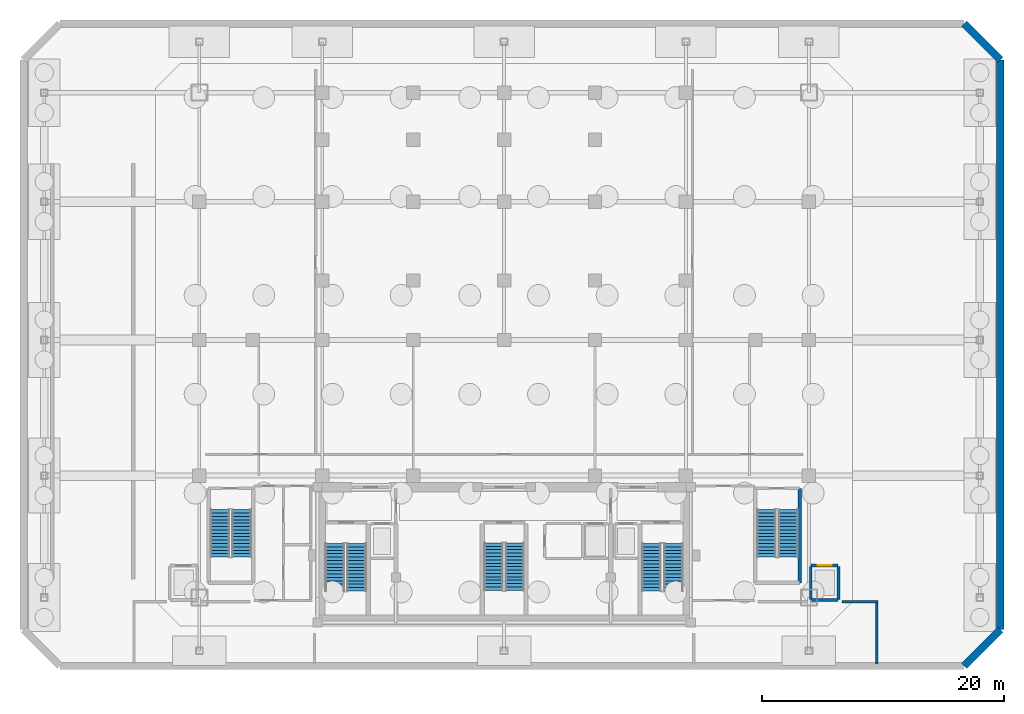
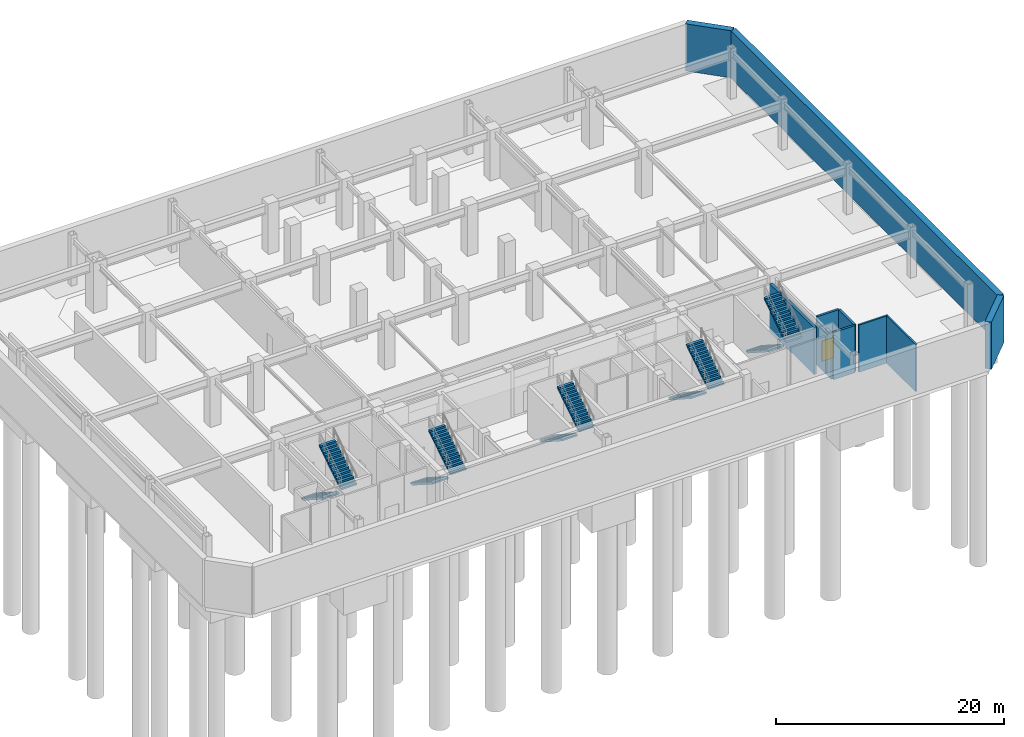
# One storey, part 7 of 10: 10 stair flights, 10 walls, 1 door, 1 opening, 5 elements without a shape of their own.
"""IFC4 building model written with IfcOpenShell, lengths in metres."""

from ifc_helpers import new_model, si_unit, direction, frame, frame_2d, origin, place, context, subcontext, project, spatial, polyline, rectangle, outline, extrude, material, layer, layer_set, type_object, element, fill, aggregate, save


model = new_model("IFC4")

# Units and contexts
model_context = context("Model", 3, precision=1e-05, world=origin(), true_north=direction((0.0, 1.0)))
body_context = subcontext(model_context, "Body", "Model", "MODEL_VIEW")
ifc_project = project(units=[si_unit("LENGTHUNIT", "METRE"), si_unit("AREAUNIT", "SQUARE_METRE"), si_unit("VOLUMEUNIT", "CUBIC_METRE"), si_unit("PLANEANGLEUNIT", "RADIAN"), si_unit("MASSUNIT", "GRAM", prefix="KILO")], contexts=[model_context])

# Site, building, storey
site_placement = place(None, origin())
site = spatial("IfcSite", under=ifc_project, at=site_placement, CompositionType="ELEMENT")
building_placement = place(site_placement, origin())
building = spatial("IfcBuilding", under=site, at=building_placement, Name="Ventersveld Concourse Tower", CompositionType="ELEMENT")
storey_placement = place(building_placement, frame((0.0, 0.0, -10.800048828125)))
storey = spatial("IfcBuildingStorey", under=building, at=storey_placement, Name="B02", CompositionType="ELEMENT", Elevation=-10.800048828125)

# Walls
ifc_material_1 = material(Name="Fire-rated autoclaved aerated masonry blockwork", Category="masonry")
ifc_layer_1 = layer(ifc_material_1, 0.179931640625)
ifc_layer_set_1 = layer_set([ifc_layer_1], Name="Fire-rated autoclaved aerated masonry blockwork")
wall_type_1 = type_object("IfcWallType", Name="WL-CORR-180", PredefinedType="PARTITIONING", material=ifc_layer_set_1)
wall_1_placement = place(storey_placement, frame((59.5, -3.139892578125, 0.0), z_axis=(0.0, 0.0, 1.0), x_axis=(0.0, 1.0, 0.0)))
element("IfcWall", 1, at=wall_1_placement, inside=storey, type_object=wall_type_1, Name="B02 Room Enclosure Wall SP-B02-GREY", PredefinedType="PARTITIONING", context=body_context, shape_type="SweptSolid", body=[
    extrude(rectangle(XDim=5.23486328125, YDim=0.179931640625, at=frame_2d((2.617431640625, 0.0))), origin(), (0.0, 0.0, 1.0), 5.050048828125),
])
wall_2_placement = place(storey_placement, frame((59.594970703125, 2.0, 0.0), z_axis=(0.0, 0.0, 1.0), x_axis=(-1.0, 0.0, 0.0)))
element("IfcWall", 2, at=wall_2_placement, inside=storey, type_object=wall_type_1, Name="B02 Room Enclosure Wall SP-B02-GREY", PredefinedType="PARTITIONING", context=body_context, shape_type="SweptSolid", body=[
    extrude(rectangle(XDim=2.980712890625, YDim=0.179931640625, at=frame_2d((1.490234375, 0.0))), origin(), (0.0, 0.0, 1.0), 5.050048828125),
])
ifc_layer_2 = layer(ifc_material_1, 0.219970703125)
ifc_layer_set_2 = layer_set([ifc_layer_2], Name="Fire-rated autoclaved aerated masonry blockwork")
wall_type_2 = type_object("IfcWallType", Name="WL-HOIST-220", PredefinedType="SOLIDWALL", material=ifc_layer_set_2)
wall_3_placement = place(storey_placement, frame((54.10009765625, 2.139892578125, 0.0), z_axis=(0.0, 0.0, 1.0), x_axis=(1.0, 0.0, 0.0)))
element("IfcWall", 3, at=wall_3_placement, inside=storey, type_object=wall_type_2, Name="B02 Lift Hoistway Back Wall SL-02", PredefinedType="SOLIDWALL", context=body_context, shape_type="SweptSolid", body=[
    extrude(rectangle(XDim=2.199951171875, YDim=0.219970703125, at=frame_2d((1.10009765625, 0.0))), origin(), (0.0, 0.0, 1.0), 5.050048828125),
])
wall_4_placement = place(storey_placement, frame((54.06005859375, 2.199951171875, 0.0), z_axis=(0.0, 0.0, 1.0), x_axis=(0.0, 1.0, 0.0)))
element("IfcWall", 4, at=wall_4_placement, inside=storey, type_object=wall_type_2, Name="B02 Lift Hoistway Side Wall SL-02W", PredefinedType="SOLIDWALL", context=body_context, shape_type="SweptSolid", body=[
    extrude(rectangle(XDim=2.699951171875, YDim=0.219970703125, at=frame_2d((1.35009765625, 0.0))), origin(), (0.0, 0.0, 1.0), 4.432861328125),
])
wall_5_placement = place(storey_placement, frame((56.340087890625, 2.199951171875, 0.0), z_axis=(0.0, 0.0, 1.0), x_axis=(0.0, 1.0, 0.0)))
element("IfcWall", 5, at=wall_5_placement, inside=storey, type_object=wall_type_2, Name="B02 Lift Hoistway Side Wall SL-02E", PredefinedType="SOLIDWALL", context=body_context, shape_type="SweptSolid", body=[
    extrude(rectangle(XDim=2.699951171875, YDim=0.219970703125, at=frame_2d((1.35009765625, 0.0))), origin(), (0.0, 0.0, 1.0), 5.050048828125),
])

# Wall, opening, door
wall_6_placement = place(storey_placement, frame((54.080078125, 4.97998046875, 0.0), z_axis=(0.0, 0.0, 1.0), x_axis=(1.0, 0.0, 0.0)))
wall_6 = element("IfcWall", 6, at=wall_6_placement, inside=storey, type_object=wall_type_2, Name="B02 Lift Hoistway Front Wall SL-02", PredefinedType="SOLIDWALL", context=body_context, shape_type="SweptSolid", body=[
    extrude(rectangle(XDim=2.239990234375, YDim=0.219970703125, at=frame_2d((1.1201171875, 0.0))), origin(), (0.0, 0.0, 1.0), 5.050048828125),
])
opening_placement = place(wall_6_placement, frame((0.530029296875, 0.0, 0.0)))
opening = element("IfcOpeningElement", 7, at=opening_placement, cuts=wall_6, Name="Opening LD2", PredefinedType="OPENING", context=body_context, shape_type="SweptSolid", body=[
    extrude(rectangle(XDim=1.179931640625, YDim=2.199951171875, at=frame_2d((0.58984375, 1.10009765625))), frame((0.0, 0.1201171875, 0.0), z_axis=(0.0, -1.0, 0.0), x_axis=(1.0, 0.0, 0.0)), (0.0, 0.0, 1.0), 0.239990234375),
])
ifc_material_2 = material(Name="Brushed stainless steel 316", Category="steel")
door_type = type_object("IfcDoorType", Name="LD-PAX-118", OperationType="SLIDING_TO_LEFT", PredefinedType="DOOR", material=ifc_material_2)
door_placement = place(opening_placement, origin())
door = element("IfcDoor", 8, at=door_placement, inside=storey, type_object=door_type, Name="B02 Lift landing door SL-02 (LD-B02-SL-02)", OperationType="SLIDING_TO_LEFT", OverallHeight=2.199951171875, OverallWidth=1.179931640625, PredefinedType="DOOR", context=body_context, shape_type="SweptSolid", body=[
    extrude(rectangle(XDim=1.179931640625, YDim=2.199951171875, at=frame_2d((0.58984375, 1.10009765625))), frame((0.0, 0.02490234375, 0.0), z_axis=(0.0, -1.0, 0.0), x_axis=(1.0, 0.0, 0.0)), (0.0, 0.0, 1.0), 0.050048828125),
])
fill(opening, door)

# Walls
ifc_material_3 = material(Name="Concrete C50/60", Category="concrete")
ifc_layer_3 = layer(ifc_material_3, 0.60009765625)
ifc_layer_set_3 = layer_set([ifc_layer_3], Name="Concrete C50/60")
wall_type_3 = type_object("IfcWallType", Name="WL-RET-600", PredefinedType="SOLIDWALL", material=ifc_layer_set_3)
wall_7_placement = place(storey_placement, frame((66.699951171875, -3.300048828125, 0.0), z_axis=(0.0, 0.0, 1.0), x_axis=(0.707106781187, 0.707106781187, 0.0)))
element("IfcWall", 9, at=wall_7_placement, inside=storey, type_object=wall_type_3, Name="B02 Basement Retaining Wall 02", PredefinedType="SOLIDWALL", context=body_context, shape_type="SweptSolid", body=[
    extrude(rectangle(XDim=4.24267578125, YDim=0.60009765625, at=frame_2d((2.121337890625, 0.0))), origin(), (0.0, 0.0, 1.0), 5.050048828125),
])
wall_8_placement = place(storey_placement, frame((69.699951171875, -0.300048828125, 0.0), z_axis=(0.0, 0.0, 1.0), x_axis=(0.0, 1.0, 0.0)))
element("IfcWall", 10, at=wall_8_placement, inside=storey, type_object=wall_type_3, Name="B02 Basement Retaining Wall 03", PredefinedType="SOLIDWALL", context=body_context, shape_type="SweptSolid", body=[
    extrude(rectangle(XDim=47.0, YDim=0.60009765625, at=frame_2d((23.5, 0.0))), origin(), (0.0, 0.0, 1.0), 5.050048828125),
])
wall_9_placement = place(storey_placement, frame((69.699951171875, 46.699951171875, 0.0), z_axis=(0.0, 0.0, 1.0), x_axis=(-0.707106781187, 0.707106781187, 0.0)))
element("IfcWall", 11, at=wall_9_placement, inside=storey, type_object=wall_type_3, Name="B02 Basement Retaining Wall 04", PredefinedType="SOLIDWALL", context=body_context, shape_type="SweptSolid", body=[
    extrude(rectangle(XDim=4.24267578125, YDim=0.60009765625, at=frame_2d((2.121337890625, 0.0))), origin(), (0.0, 0.0, 1.0), 5.050048828125),
])
ifc_layer_4 = layer(ifc_material_3, 0.280029296875)
ifc_layer_set_4 = layer_set([ifc_layer_4], Name="Concrete C50/60")
wall_type_4 = type_object("IfcWallType", Name="WL-SHAFT-280", PredefinedType="SHEAR", material=ifc_layer_set_4)
wall_10_placement = place(storey_placement, frame((53.139892578125, 3.56005859375, 0.0), z_axis=(0.0, 0.0, 1.0), x_axis=(0.0, 1.0, 0.0)))
element("IfcWall", 12, at=wall_10_placement, inside=storey, type_object=wall_type_4, Name="B02 ST05 Structural Shaft Wall E", PredefinedType="SHEAR", context=body_context, shape_type="SweptSolid", body=[
    extrude(rectangle(XDim=7.7900390625, YDim=0.280029296875, at=frame_2d((3.89501953125, 0.0))), origin(), (0.0, 0.0, 1.0), 5.050048828125),
])

# Stair, stair flights
stair_type_1 = type_object("IfcStairType", Name="ST-DOG-155", PredefinedType="HALF_TURN_STAIR", material=ifc_material_3)
stair_1_placement = place(storey_placement, origin())
stair_1 = element("IfcStair", 13, at=stair_1_placement, inside=storey, type_object=stair_type_1, Name="B02 Protected Central Core Escape Stair ST-03", PredefinedType="HALF_TURN_STAIR")
stair_flight_type_1 = type_object("IfcStairFlightType", Name="STF-RC-155", PredefinedType="STRAIGHT", material=ifc_material_3)
stair_flight_1_placement = place(storey_placement, frame((27.875, 6.85009765625, 0.0), z_axis=(0.0, 0.0, 1.0), x_axis=(0.0, -1.0, 0.0)))
stair_flight_1 = element("IfcStairFlight", 14, at=stair_flight_1_placement, type_object=stair_flight_type_1, Name="ST-03 flight 1", NumberOfRisers=15, NumberOfTreads=14, PredefinedType="STRAIGHT", RiserHeight=0.18, TreadLength=0.28, context=body_context, shape_type="SweptSolid", body=[
    extrude(outline(polyline([(0.0, 0.0), (0.0, 0.179931640625), (0.280029296875, 0.179931640625), (0.280029296875, 0.360107421875), (0.56005859375, 0.360107421875), (0.56005859375, 0.5400390625), (0.840087890625, 0.5400390625), (0.840087890625, 0.719970703125), (1.1201171875, 0.719970703125), (1.1201171875, 0.89990234375), (1.39990234375, 0.89990234375), (1.39990234375, 1.080078125), (1.679931640625, 1.080078125), (1.679931640625, 1.260009765625), (1.9599609375, 1.260009765625), (1.9599609375, 1.43994140625), (2.239990234375, 1.43994140625), (2.239990234375, 1.6201171875), (2.52001953125, 1.6201171875), (2.52001953125, 1.800048828125), (2.800048828125, 1.800048828125), (2.800048828125, 1.97998046875), (3.080078125, 1.97998046875), (3.080078125, 2.159912109375), (3.360107421875, 2.159912109375), (3.360107421875, 2.340087890625), (3.639892578125, 2.340087890625), (3.639892578125, 2.52001953125), (3.919921875, 2.52001953125), (3.919921875, 2.699951171875), (3.919921875, 2.341796875), (0.277099609375, 0.0), (0.0, 0.0)])), frame((0.0, 0.77490234375, 0.0), z_axis=(0.0, -1.0, 0.0), x_axis=(1.0, 0.0, 0.0)), (0.0, 0.0, 1.0), 1.550048828125),
])
stair_flight_2_placement = place(storey_placement, frame((29.625, 2.929931640625, 2.699951171875), z_axis=(0.0, 0.0, 1.0), x_axis=(0.0, 1.0, 0.0)))
stair_flight_2 = element("IfcStairFlight", 15, at=stair_flight_2_placement, type_object=stair_flight_type_1, Name="ST-03 flight 2", NumberOfRisers=15, NumberOfTreads=14, PredefinedType="STRAIGHT", RiserHeight=0.18, TreadLength=0.28, context=body_context, shape_type="SweptSolid", body=[
    extrude(outline(polyline([(0.0, 0.0), (0.0, 0.179931640625), (0.280029296875, 0.179931640625), (0.280029296875, 0.360107421875), (0.56005859375, 0.360107421875), (0.56005859375, 0.5400390625), (0.840087890625, 0.5400390625), (0.840087890625, 0.719970703125), (1.1201171875, 0.719970703125), (1.1201171875, 0.89990234375), (1.39990234375, 0.89990234375), (1.39990234375, 1.080078125), (1.679931640625, 1.080078125), (1.679931640625, 1.260009765625), (1.9599609375, 1.260009765625), (1.9599609375, 1.43994140625), (2.239990234375, 1.43994140625), (2.239990234375, 1.6201171875), (2.52001953125, 1.6201171875), (2.52001953125, 1.800048828125), (2.800048828125, 1.800048828125), (2.800048828125, 1.97998046875), (3.080078125, 1.97998046875), (3.080078125, 2.159912109375), (3.360107421875, 2.159912109375), (3.360107421875, 2.340087890625), (3.639892578125, 2.340087890625), (3.639892578125, 2.52001953125), (3.919921875, 2.52001953125), (3.919921875, 2.699951171875), (3.919921875, 2.341796875), (0.277099609375, 0.0), (0.0, 0.0)])), frame((0.0, 0.77490234375, 0.0), z_axis=(0.0, -1.0, 0.0), x_axis=(1.0, 0.0, 0.0)), (0.0, 0.0, 1.0), 1.550048828125),
])
aggregate(stair_1, [stair_flight_1, stair_flight_2])

stair_type_2 = type_object("IfcStairType", Name="ST-DOG-160", PredefinedType="HALF_TURN_STAIR", material=ifc_material_3)
stair_2_placement = place(storey_placement, origin())
stair_2 = element("IfcStair", 16, at=stair_2_placement, inside=storey, type_object=stair_type_2, Name="B02 Protected Tower Escape Stair ST-01", PredefinedType="HALF_TURN_STAIR")
stair_flight_type_2 = type_object("IfcStairFlightType", Name="STF-RC-160", PredefinedType="STRAIGHT", material=ifc_material_3)
stair_flight_3_placement = place(storey_placement, frame((14.780029296875, 6.800048828125, 0.0), z_axis=(0.0, 0.0, 1.0), x_axis=(0.0, -1.0, 0.0)))
stair_flight_3 = element("IfcStairFlight", 17, at=stair_flight_3_placement, type_object=stair_flight_type_2, Name="ST-01 flight 1", NumberOfRisers=15, NumberOfTreads=14, PredefinedType="STRAIGHT", RiserHeight=0.18, TreadLength=0.28, context=body_context, shape_type="SweptSolid", body=[
    extrude(outline(polyline([(0.0, 0.0), (0.0, 0.179931640625), (0.280029296875, 0.179931640625), (0.280029296875, 0.360107421875), (0.56005859375, 0.360107421875), (0.56005859375, 0.5400390625), (0.840087890625, 0.5400390625), (0.840087890625, 0.719970703125), (1.1201171875, 0.719970703125), (1.1201171875, 0.89990234375), (1.39990234375, 0.89990234375), (1.39990234375, 1.080078125), (1.679931640625, 1.080078125), (1.679931640625, 1.260009765625), (1.9599609375, 1.260009765625), (1.9599609375, 1.43994140625), (2.239990234375, 1.43994140625), (2.239990234375, 1.6201171875), (2.52001953125, 1.6201171875), (2.52001953125, 1.800048828125), (2.800048828125, 1.800048828125), (2.800048828125, 1.97998046875), (3.080078125, 1.97998046875), (3.080078125, 2.159912109375), (3.360107421875, 2.159912109375), (3.360107421875, 2.340087890625), (3.639892578125, 2.340087890625), (3.639892578125, 2.52001953125), (3.919921875, 2.52001953125), (3.919921875, 2.699951171875), (3.919921875, 2.341796875), (0.277099609375, 0.0), (0.0, 0.0)])), frame((0.0, 0.800048828125, 0.0), z_axis=(0.0, -1.0, 0.0), x_axis=(1.0, 0.0, 0.0)), (0.0, 0.0, 1.0), 1.60009765625),
])
stair_flight_4_placement = place(storey_placement, frame((16.580078125, 2.8798828125, 2.699951171875), z_axis=(0.0, 0.0, 1.0), x_axis=(0.0, 1.0, 0.0)))
stair_flight_4 = element("IfcStairFlight", 18, at=stair_flight_4_placement, type_object=stair_flight_type_2, Name="ST-01 flight 2", NumberOfRisers=15, NumberOfTreads=14, PredefinedType="STRAIGHT", RiserHeight=0.18, TreadLength=0.28, context=body_context, shape_type="SweptSolid", body=[
    extrude(outline(polyline([(0.0, 0.0), (0.0, 0.179931640625), (0.280029296875, 0.179931640625), (0.280029296875, 0.360107421875), (0.56005859375, 0.360107421875), (0.56005859375, 0.5400390625), (0.840087890625, 0.5400390625), (0.840087890625, 0.719970703125), (1.1201171875, 0.719970703125), (1.1201171875, 0.89990234375), (1.39990234375, 0.89990234375), (1.39990234375, 1.080078125), (1.679931640625, 1.080078125), (1.679931640625, 1.260009765625), (1.9599609375, 1.260009765625), (1.9599609375, 1.43994140625), (2.239990234375, 1.43994140625), (2.239990234375, 1.6201171875), (2.52001953125, 1.6201171875), (2.52001953125, 1.800048828125), (2.800048828125, 1.800048828125), (2.800048828125, 1.97998046875), (3.080078125, 1.97998046875), (3.080078125, 2.159912109375), (3.360107421875, 2.159912109375), (3.360107421875, 2.340087890625), (3.639892578125, 2.340087890625), (3.639892578125, 2.52001953125), (3.919921875, 2.52001953125), (3.919921875, 2.699951171875), (3.919921875, 2.341796875), (0.277099609375, 0.0), (0.0, 0.0)])), frame((0.0, 0.800048828125, 0.0), z_axis=(0.0, -1.0, 0.0), x_axis=(1.0, 0.0, 0.0)), (0.0, 0.0, 1.0), 1.60009765625),
])
aggregate(stair_2, [stair_flight_3, stair_flight_4])

stair_3_placement = place(storey_placement, origin())
stair_3 = element("IfcStair", 19, at=stair_3_placement, inside=storey, type_object=stair_type_2, Name="B02 Protected Tower Escape Stair ST-02", PredefinedType="HALF_TURN_STAIR")
stair_flight_5_placement = place(storey_placement, frame((40.919921875, 6.800048828125, 0.0), z_axis=(0.0, 0.0, 1.0), x_axis=(0.0, -1.0, 0.0)))
stair_flight_5 = element("IfcStairFlight", 20, at=stair_flight_5_placement, type_object=stair_flight_type_2, Name="ST-02 flight 1", NumberOfRisers=15, NumberOfTreads=14, PredefinedType="STRAIGHT", RiserHeight=0.18, TreadLength=0.28, context=body_context, shape_type="SweptSolid", body=[
    extrude(outline(polyline([(0.0, 0.0), (0.0, 0.179931640625), (0.280029296875, 0.179931640625), (0.280029296875, 0.360107421875), (0.56005859375, 0.360107421875), (0.56005859375, 0.5400390625), (0.840087890625, 0.5400390625), (0.840087890625, 0.719970703125), (1.1201171875, 0.719970703125), (1.1201171875, 0.89990234375), (1.39990234375, 0.89990234375), (1.39990234375, 1.080078125), (1.679931640625, 1.080078125), (1.679931640625, 1.260009765625), (1.9599609375, 1.260009765625), (1.9599609375, 1.43994140625), (2.239990234375, 1.43994140625), (2.239990234375, 1.6201171875), (2.52001953125, 1.6201171875), (2.52001953125, 1.800048828125), (2.800048828125, 1.800048828125), (2.800048828125, 1.97998046875), (3.080078125, 1.97998046875), (3.080078125, 2.159912109375), (3.360107421875, 2.159912109375), (3.360107421875, 2.340087890625), (3.639892578125, 2.340087890625), (3.639892578125, 2.52001953125), (3.919921875, 2.52001953125), (3.919921875, 2.699951171875), (3.919921875, 2.341796875), (0.277099609375, 0.0), (0.0, 0.0)])), frame((0.0, 0.800048828125, 0.0), z_axis=(0.0, -1.0, 0.0), x_axis=(1.0, 0.0, 0.0)), (0.0, 0.0, 1.0), 1.60009765625),
])
stair_flight_6_placement = place(storey_placement, frame((42.719970703125, 2.8798828125, 2.699951171875), z_axis=(0.0, 0.0, 1.0), x_axis=(0.0, 1.0, 0.0)))
stair_flight_6 = element("IfcStairFlight", 21, at=stair_flight_6_placement, type_object=stair_flight_type_2, Name="ST-02 flight 2", NumberOfRisers=15, NumberOfTreads=14, PredefinedType="STRAIGHT", RiserHeight=0.18, TreadLength=0.28, context=body_context, shape_type="SweptSolid", body=[
    extrude(outline(polyline([(0.0, 0.0), (0.0, 0.179931640625), (0.280029296875, 0.179931640625), (0.280029296875, 0.360107421875), (0.56005859375, 0.360107421875), (0.56005859375, 0.5400390625), (0.840087890625, 0.5400390625), (0.840087890625, 0.719970703125), (1.1201171875, 0.719970703125), (1.1201171875, 0.89990234375), (1.39990234375, 0.89990234375), (1.39990234375, 1.080078125), (1.679931640625, 1.080078125), (1.679931640625, 1.260009765625), (1.9599609375, 1.260009765625), (1.9599609375, 1.43994140625), (2.239990234375, 1.43994140625), (2.239990234375, 1.6201171875), (2.52001953125, 1.6201171875), (2.52001953125, 1.800048828125), (2.800048828125, 1.800048828125), (2.800048828125, 1.97998046875), (3.080078125, 1.97998046875), (3.080078125, 2.159912109375), (3.360107421875, 2.159912109375), (3.360107421875, 2.340087890625), (3.639892578125, 2.340087890625), (3.639892578125, 2.52001953125), (3.919921875, 2.52001953125), (3.919921875, 2.699951171875), (3.919921875, 2.341796875), (0.277099609375, 0.0), (0.0, 0.0)])), frame((0.0, 0.800048828125, 0.0), z_axis=(0.0, -1.0, 0.0), x_axis=(1.0, 0.0, 0.0)), (0.0, 0.0, 1.0), 1.60009765625),
])
aggregate(stair_3, [stair_flight_5, stair_flight_6])

stair_4_placement = place(storey_placement, origin())
stair_4 = element("IfcStair", 22, at=stair_4_placement, inside=storey, type_object=stair_type_2, Name="B02 Station Concourse West Escape Stair ST-04", PredefinedType="HALF_TURN_STAIR")
stair_flight_7_placement = place(storey_placement, frame((5.300048828125, 9.60009765625, 0.0), z_axis=(0.0, 0.0, 1.0), x_axis=(0.0, -1.0, 0.0)))
stair_flight_7 = element("IfcStairFlight", 23, at=stair_flight_7_placement, type_object=stair_flight_type_2, Name="ST-04 flight 1", NumberOfRisers=15, NumberOfTreads=14, PredefinedType="STRAIGHT", RiserHeight=0.18, TreadLength=0.28, context=body_context, shape_type="SweptSolid", body=[
    extrude(outline(polyline([(0.0, 0.0), (0.0, 0.179931640625), (0.280029296875, 0.179931640625), (0.280029296875, 0.360107421875), (0.56005859375, 0.360107421875), (0.56005859375, 0.5400390625), (0.840087890625, 0.5400390625), (0.840087890625, 0.719970703125), (1.1201171875, 0.719970703125), (1.1201171875, 0.89990234375), (1.39990234375, 0.89990234375), (1.39990234375, 1.080078125), (1.679931640625, 1.080078125), (1.679931640625, 1.260009765625), (1.9599609375, 1.260009765625), (1.9599609375, 1.43994140625), (2.239990234375, 1.43994140625), (2.239990234375, 1.6201171875), (2.52001953125, 1.6201171875), (2.52001953125, 1.800048828125), (2.800048828125, 1.800048828125), (2.800048828125, 1.97998046875), (3.080078125, 1.97998046875), (3.080078125, 2.159912109375), (3.360107421875, 2.159912109375), (3.360107421875, 2.340087890625), (3.639892578125, 2.340087890625), (3.639892578125, 2.52001953125), (3.919921875, 2.52001953125), (3.919921875, 2.699951171875), (3.919921875, 2.341796875), (0.277099609375, 0.0), (0.0, 0.0)])), frame((0.0, 0.800048828125, 0.0), z_axis=(0.0, -1.0, 0.0), x_axis=(1.0, 0.0, 0.0)), (0.0, 0.0, 1.0), 1.60009765625),
])
stair_flight_8_placement = place(storey_placement, frame((7.10009765625, 5.679931640625, 2.699951171875), z_axis=(0.0, 0.0, 1.0), x_axis=(0.0, 1.0, 0.0)))
stair_flight_8 = element("IfcStairFlight", 24, at=stair_flight_8_placement, type_object=stair_flight_type_2, Name="ST-04 flight 2", NumberOfRisers=15, NumberOfTreads=14, PredefinedType="STRAIGHT", RiserHeight=0.18, TreadLength=0.28, context=body_context, shape_type="SweptSolid", body=[
    extrude(outline(polyline([(0.0, 0.0), (0.0, 0.179931640625), (0.280029296875, 0.179931640625), (0.280029296875, 0.360107421875), (0.56005859375, 0.360107421875), (0.56005859375, 0.5400390625), (0.840087890625, 0.5400390625), (0.840087890625, 0.719970703125), (1.1201171875, 0.719970703125), (1.1201171875, 0.89990234375), (1.39990234375, 0.89990234375), (1.39990234375, 1.080078125), (1.679931640625, 1.080078125), (1.679931640625, 1.260009765625), (1.9599609375, 1.260009765625), (1.9599609375, 1.43994140625), (2.239990234375, 1.43994140625), (2.239990234375, 1.6201171875), (2.52001953125, 1.6201171875), (2.52001953125, 1.800048828125), (2.800048828125, 1.800048828125), (2.800048828125, 1.97998046875), (3.080078125, 1.97998046875), (3.080078125, 2.159912109375), (3.360107421875, 2.159912109375), (3.360107421875, 2.340087890625), (3.639892578125, 2.340087890625), (3.639892578125, 2.52001953125), (3.919921875, 2.52001953125), (3.919921875, 2.699951171875), (3.919921875, 2.341796875), (0.277099609375, 0.0), (0.0, 0.0)])), frame((0.0, 0.800048828125, 0.0), z_axis=(0.0, -1.0, 0.0), x_axis=(1.0, 0.0, 0.0)), (0.0, 0.0, 1.0), 1.60009765625),
])
aggregate(stair_4, [stair_flight_7, stair_flight_8])

stair_5_placement = place(storey_placement, origin())
stair_5 = element("IfcStair", 25, at=stair_5_placement, inside=storey, type_object=stair_type_2, Name="B02 Station Concourse East Escape Stair ST-05", PredefinedType="HALF_TURN_STAIR")
stair_flight_9_placement = place(storey_placement, frame((50.39990234375, 9.60009765625, 0.0), z_axis=(0.0, 0.0, 1.0), x_axis=(0.0, -1.0, 0.0)))
stair_flight_9 = element("IfcStairFlight", 26, at=stair_flight_9_placement, type_object=stair_flight_type_2, Name="ST-05 flight 1", NumberOfRisers=15, NumberOfTreads=14, PredefinedType="STRAIGHT", RiserHeight=0.18, TreadLength=0.28, context=body_context, shape_type="SweptSolid", body=[
    extrude(outline(polyline([(0.0, 0.0), (0.0, 0.179931640625), (0.280029296875, 0.179931640625), (0.280029296875, 0.360107421875), (0.56005859375, 0.360107421875), (0.56005859375, 0.5400390625), (0.840087890625, 0.5400390625), (0.840087890625, 0.719970703125), (1.1201171875, 0.719970703125), (1.1201171875, 0.89990234375), (1.39990234375, 0.89990234375), (1.39990234375, 1.080078125), (1.679931640625, 1.080078125), (1.679931640625, 1.260009765625), (1.9599609375, 1.260009765625), (1.9599609375, 1.43994140625), (2.239990234375, 1.43994140625), (2.239990234375, 1.6201171875), (2.52001953125, 1.6201171875), (2.52001953125, 1.800048828125), (2.800048828125, 1.800048828125), (2.800048828125, 1.97998046875), (3.080078125, 1.97998046875), (3.080078125, 2.159912109375), (3.360107421875, 2.159912109375), (3.360107421875, 2.340087890625), (3.639892578125, 2.340087890625), (3.639892578125, 2.52001953125), (3.919921875, 2.52001953125), (3.919921875, 2.699951171875), (3.919921875, 2.341796875), (0.277099609375, 0.0), (0.0, 0.0)])), frame((0.0, 0.800048828125, 0.0), z_axis=(0.0, -1.0, 0.0), x_axis=(1.0, 0.0, 0.0)), (0.0, 0.0, 1.0), 1.60009765625),
])
stair_flight_10_placement = place(storey_placement, frame((52.199951171875, 5.679931640625, 2.699951171875), z_axis=(0.0, 0.0, 1.0), x_axis=(0.0, 1.0, 0.0)))
stair_flight_10 = element("IfcStairFlight", 27, at=stair_flight_10_placement, type_object=stair_flight_type_2, Name="ST-05 flight 2", NumberOfRisers=15, NumberOfTreads=14, PredefinedType="STRAIGHT", RiserHeight=0.18, TreadLength=0.28, context=body_context, shape_type="SweptSolid", body=[
    extrude(outline(polyline([(0.0, 0.0), (0.0, 0.179931640625), (0.280029296875, 0.179931640625), (0.280029296875, 0.360107421875), (0.56005859375, 0.360107421875), (0.56005859375, 0.5400390625), (0.840087890625, 0.5400390625), (0.840087890625, 0.719970703125), (1.1201171875, 0.719970703125), (1.1201171875, 0.89990234375), (1.39990234375, 0.89990234375), (1.39990234375, 1.080078125), (1.679931640625, 1.080078125), (1.679931640625, 1.260009765625), (1.9599609375, 1.260009765625), (1.9599609375, 1.43994140625), (2.239990234375, 1.43994140625), (2.239990234375, 1.6201171875), (2.52001953125, 1.6201171875), (2.52001953125, 1.800048828125), (2.800048828125, 1.800048828125), (2.800048828125, 1.97998046875), (3.080078125, 1.97998046875), (3.080078125, 2.159912109375), (3.360107421875, 2.159912109375), (3.360107421875, 2.340087890625), (3.639892578125, 2.340087890625), (3.639892578125, 2.52001953125), (3.919921875, 2.52001953125), (3.919921875, 2.699951171875), (3.919921875, 2.341796875), (0.277099609375, 0.0), (0.0, 0.0)])), frame((0.0, 0.800048828125, 0.0), z_axis=(0.0, -1.0, 0.0), x_axis=(1.0, 0.0, 0.0)), (0.0, 0.0, 1.0), 1.60009765625),
])
aggregate(stair_5, [stair_flight_9, stair_flight_10])

save(model, "model.ifc")
